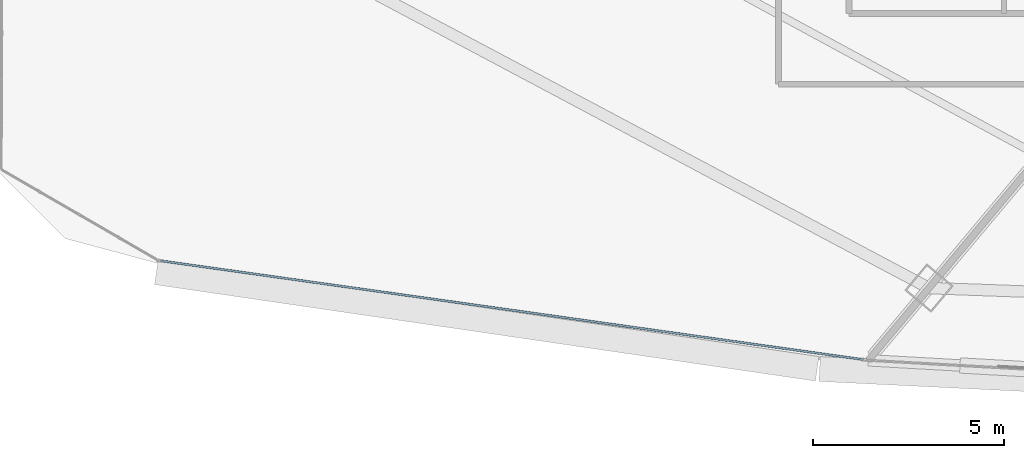
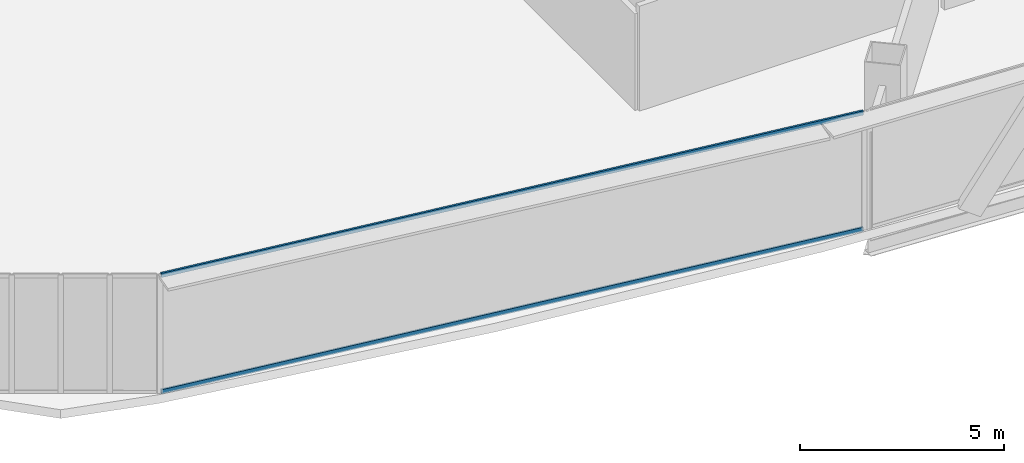
# One storey, part 3 of 40: 2 members, 1 element without a shape of its own.
"""IFC4 building model written with IfcOpenShell, lengths in metres."""

from ifc_helpers import new_model, si_unit, direction, frame, origin, origin_2d, place, context, subcontext, project, spatial, hollow_rectangle, extrude, source, transform, mapped, material, layer, layer_set, material_profile, profile_set, type_object, element, aggregate, save


model = new_model("IFC4")

# Units and contexts
model_context = context("Model", 3, precision=1e-05, world=origin(), true_north=direction((0.0, 1.0)))
body_context = subcontext(model_context, "Body", "Model", "MODEL_VIEW")
ifc_project = project(units=[si_unit("LENGTHUNIT", "METRE"), si_unit("AREAUNIT", "SQUARE_METRE"), si_unit("VOLUMEUNIT", "CUBIC_METRE"), si_unit("PLANEANGLEUNIT", "RADIAN"), si_unit("MASSUNIT", "GRAM", prefix="KILO"), si_unit("THERMODYNAMICTEMPERATUREUNIT", "KELVIN"), si_unit("POWERUNIT", "WATT")], contexts=[model_context])

# Site, building, storey
site_placement = place(None, origin())
site = spatial("IfcSite", under=ifc_project, at=site_placement, CompositionType="ELEMENT")
building_placement = place(site_placement, origin())
building = spatial("IfcBuilding", under=site, at=building_placement, Name="Yunzhuo Pagoda Commons", CompositionType="ELEMENT")
storey_placement = place(building_placement, frame((0.0, 0.0, 180.9599609375)))
storey = spatial("IfcBuildingStorey", under=building, at=storey_placement, Name="L45", CompositionType="ELEMENT", Elevation=180.9599609375)

# Curtain wall, members
ifc_material = material(Name="Anodized aluminium 6063-T6", Category="aluminium")
ifc_layer = layer(ifc_material, 0.14990234375)
ifc_layer_set = layer_set([ifc_layer], Name="Anodized aluminium 6063-T6")
curtain_wall_type = type_object("IfcCurtainWallType", Name="CW-MID Mid-Zone Ribbon Curtain Wall", PredefinedType="NOTDEFINED", material=ifc_layer_set)
curtain_wall_placement = place(storey_placement, origin())
curtain_wall = element("IfcCurtainWall", 1, at=curtain_wall_placement, inside=storey, type_object=curtain_wall_type, Name="L45 curtain wall CW-L45-F1B1", PredefinedType="NOTDEFINED")
ifc_material_profile = material_profile(ifc_material, hollow_rectangle(XDim=0.054931640625, YDim=0.1298828125, WallThickness=0.00341796875, at=origin_2d()), Name="Anodized aluminium 6063-T6")
ifc_profile_set = profile_set([ifc_material_profile], Name="Anodized aluminium 6063-T6")
member_type = type_object("IfcMemberType", Name="CW-MID-T Transom RHS 130x55x3.5", PredefinedType="USERDEFINED", material=ifc_profile_set)
shared_shape = source(origin(), body_context, "Body", "SweptSolid", [
    extrude(hollow_rectangle(XDim=0.054931640625, YDim=0.1298828125, WallThickness=0.00341796875, at=origin_2d()), origin(), (0.0, 0.0, 1.0), 18.564453125),
])
member_1_placement = place(storey_placement, frame((13.435302734375, 17.178955078125, 0.027587890625), z_axis=(0.990260063852, -0.139230046827, 0.0), x_axis=(0.139230046827, 0.990260063852, 0.0)))
member_1 = element("IfcMember", 2, at=member_1_placement, type_object=member_type, Name="CW transom 1.1", ObjectType="TRANSOM", PredefinedType="USERDEFINED", context=body_context, shape_type="MappedRepresentation", body=[
    mapped(shared_shape, transform((0.0, 0.0, 0.0), scale=1.0)),
])
member_2_placement = place(storey_placement, frame((13.435302734375, 17.178955078125, 3.512451171875), z_axis=(0.990260063852, -0.139230046827, 0.0), x_axis=(0.139230046827, 0.990260063852, 0.0)))
member_2 = element("IfcMember", 3, at=member_2_placement, type_object=member_type, Name="CW transom 1.2", ObjectType="TRANSOM", PredefinedType="USERDEFINED", context=body_context, shape_type="MappedRepresentation", body=[
    mapped(shared_shape, transform((0.0, 0.0, 0.0), scale=1.0)),
])
aggregate(curtain_wall, [member_1, member_2])

save(model, "model.ifc")
